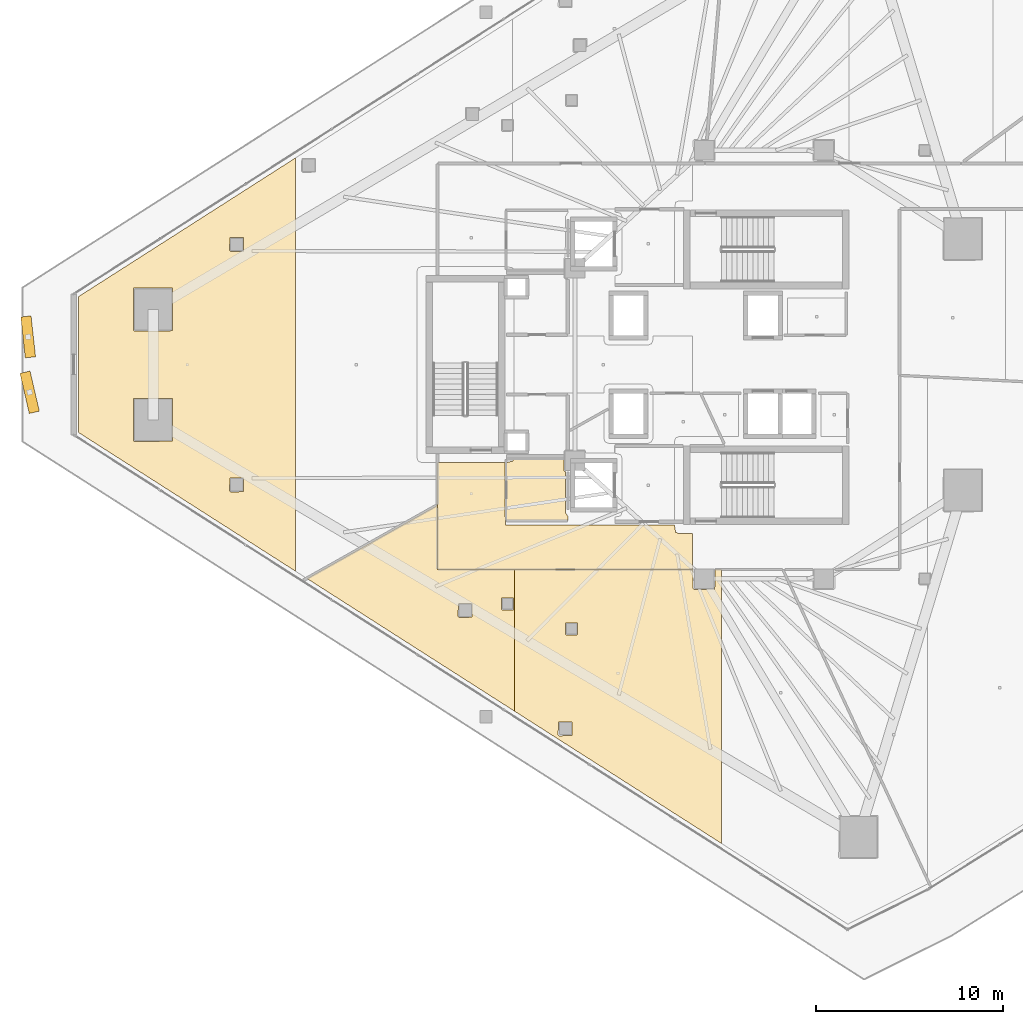
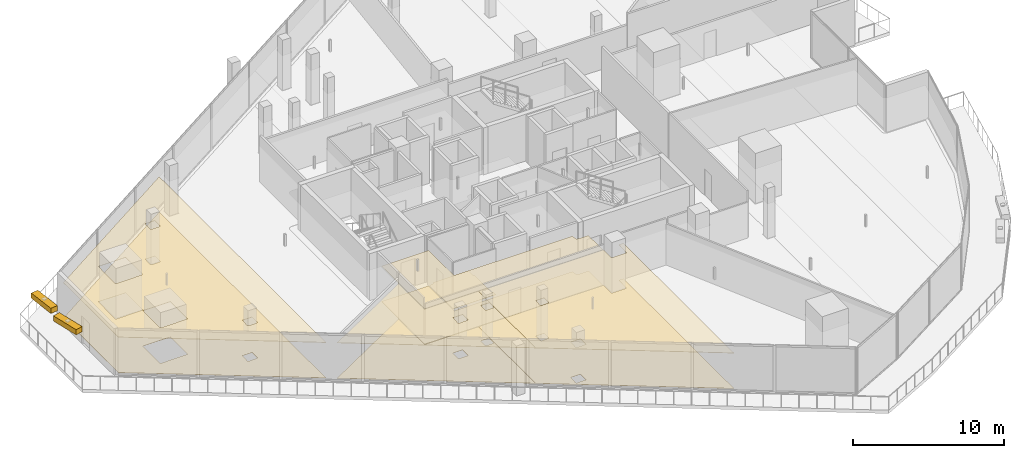
# One storey, part 31 of 38: 9 coverings, 2 shading devices.
"""IFC4 building model written with IfcOpenShell, lengths in metres."""

from ifc_helpers import new_model, si_unit, direction, frame, origin, origin_2d, place, context, subcontext, project, spatial, polyline, rectangle, outline, extrude, material, layer, layer_set, type_object, element, save


model = new_model("IFC4")

# Units and contexts
model_context = context("Model", 3, precision=1e-05, world=origin(), true_north=direction((0.0, 1.0)))
body_context = subcontext(model_context, "Body", "Model", "MODEL_VIEW")
ifc_project = project(units=[si_unit("LENGTHUNIT", "METRE"), si_unit("AREAUNIT", "SQUARE_METRE"), si_unit("VOLUMEUNIT", "CUBIC_METRE"), si_unit("PLANEANGLEUNIT", "RADIAN"), si_unit("MASSUNIT", "GRAM", prefix="KILO")], contexts=[model_context])

# Site, building, storey
site_placement = place(None, origin())
site = spatial("IfcSite", under=ifc_project, at=site_placement, CompositionType="ELEMENT")
building_placement = place(site_placement, origin())
building = spatial("IfcBuilding", under=site, at=building_placement, Name="Qorvath Tower", CompositionType="ELEMENT")
storey_placement = place(building_placement, frame((0.0, 0.0, 134.10009765625)))
storey = spatial("IfcBuildingStorey", under=building, at=storey_placement, Name="L30", CompositionType="ELEMENT", Elevation=134.10009765625)

# Coverings
ifc_material_1 = material(Name="Acoustic mineral fibre ceiling tile", Category="gypsum")
ifc_layer_1 = layer(ifc_material_1, 0.030029296875)
ifc_layer_set_1 = layer_set([ifc_layer_1], Name="COV-CEIL")
covering_type_1 = type_object("IfcCoveringType", Name="COV-CEIL", PredefinedType="CEILING", material=ifc_layer_set_1)
covering_1_placement = place(storey_placement, frame((0.0, 0.0, 2.849853515625)))
element("IfcCovering", 1, at=covering_1_placement, inside=storey, type_object=covering_type_1, Name="L30 Suspended Acoustic Ceiling 008", PredefinedType="CEILING", context=body_context, shape_type="SweptSolid", body=[
    extrude(outline(polyline([(-34.22509765625, -8.580078125), (-34.251220703125, -5.239990234375), (-37.844970703125, -5.239990234375), (-37.844970703125, -10.945068359375), (-24.220458984375, -10.945068359375), (-24.220458984375, -9.0400390625), (-24.93994140625, -9.0400390625), (-25.11669921875, -8.966796875), (-25.18994140625, -8.57421875), (-34.22509765625, -8.580078125)])), origin(), (0.0, 0.0, 1.0), 0.030029296875),
])
covering_2_placement = place(storey_placement, frame((0.0, 0.0, 2.849853515625)))
element("IfcCovering", 2, at=covering_2_placement, inside=storey, type_object=covering_type_1, Name="L30 Suspended Acoustic Ceiling 011", PredefinedType="CEILING", context=body_context, shape_type="SweptSolid", body=[
    extrude(outline(polyline([(-57.031494140625, 3.63623046875), (-57.031494140625, -3.63623046875), (-45.434814453125, -11.048095703125), (-45.434814453125, 11.048095703125), (-57.031494140625, 3.63623046875)]), holes=[polyline([(-48.96337890625, -6.74951171875), (-48.94580078125, -6.05712890625), (-48.2109375, -6.05712890625), (-48.2109375, -6.7919921875), (-48.9033203125, -6.8095703125), (-48.96337890625, -6.74951171875)]), polyline([(-48.96337890625, 6.099609375), (-48.94580078125, 6.7919921875), (-48.2109375, 6.7919921875), (-48.2109375, 6.05712890625), (-48.9033203125, 6.03955078125), (-48.96337890625, 6.099609375)]), polyline([(-54.109375, -4.05078125), (-54.091796875, -1.808349609375), (-52.007080078125, -1.808349609375), (-52.007080078125, -4.09326171875), (-54.04931640625, -4.11083984375), (-54.109375, -4.05078125)]), polyline([(-54.109375, 1.850830078125), (-54.091796875, 4.09326171875), (-52.007080078125, 4.09326171875), (-52.007080078125, 1.808349609375), (-54.04931640625, 1.790771484375), (-54.109375, 1.850830078125)])]), origin(), (0.0, 0.0, 1.0), 0.030029296875),
])
covering_3_placement = place(storey_placement, frame((0.0, 0.0, 2.849853515625)))
element("IfcCovering", 3, at=covering_3_placement, inside=storey, type_object=covering_type_1, Name="L30 Suspended Acoustic Ceiling 014", PredefinedType="CEILING", context=body_context, shape_type="SweptSolid", body=[
    extrude(outline(polyline([(-33.740234375, -18.5224609375), (-33.740234375, -10.962890625), (-37.85791015625, -10.962890625), (-37.863037109375, -7.52685546875), (-44.82275390625, -11.439208984375), (-33.740234375, -18.5224609375)]), holes=[polyline([(-34.439208984375, -13.0673828125), (-34.421630859375, -12.47509765625), (-33.786865234375, -12.47509765625), (-33.786865234375, -13.10986328125), (-34.379150390625, -13.12744140625), (-34.439208984375, -13.0673828125)]), polyline([(-36.749755859375, -13.46044921875), (-36.732177734375, -12.76806640625), (-35.997314453125, -12.76806640625), (-35.997314453125, -13.5029296875), (-36.689697265625, -13.5205078125), (-36.749755859375, -13.46044921875)])]), origin(), (0.0, 0.0, 1.0), 0.030029296875),
])
covering_4_placement = place(storey_placement, frame((0.0, 0.0, 2.849853515625)))
element("IfcCovering", 4, at=covering_4_placement, inside=storey, type_object=covering_type_1, Name="L30 Suspended Acoustic Ceiling 015", PredefinedType="CEILING", context=body_context, shape_type="SweptSolid", body=[
    extrude(outline(polyline([(-22.65771484375, -25.60546875), (-22.65771484375, -10.962890625), (-23.014892578125, -10.962890625), (-23.032470703125, -12.017333984375), (-24.125, -12.034912109375), (-24.18505859375, -11.97509765625), (-24.18505859375, -10.962890625), (-33.740234375, -10.962890625), (-33.740234375, -18.5224609375), (-22.65771484375, -25.60546875)]), holes=[polyline([(-31.01220703125, -14.3994140625), (-30.99462890625, -13.806884765625), (-30.35986328125, -13.806884765625), (-30.35986328125, -14.441650390625), (-30.9521484375, -14.459228515625), (-31.01220703125, -14.3994140625)]), polyline([(-31.401123046875, -19.785400390625), (-31.383544921875, -19.093017578125), (-30.648681640625, -19.093017578125), (-30.648681640625, -19.827880859375), (-31.341064453125, -19.845458984375), (-31.401123046875, -19.785400390625)])]), origin(), (0.0, 0.0, 1.0), 0.030029296875),
])
ifc_material_2 = material(Name="Low-VOC modular carpet tile", Category="textile")
ifc_layer_2 = layer(ifc_material_2, 0.014892578125)
ifc_layer_set_2 = layer_set([ifc_layer_2], Name="COV-FLOOR-CPT")
covering_type_2 = type_object("IfcCoveringType", Name="COV-FLOOR-CPT", PredefinedType="FLOORING", material=ifc_layer_set_2)
covering_5_placement = place(storey_placement, origin())
element("IfcCovering", 5, at=covering_5_placement, inside=storey, type_object=covering_type_2, Name="L30 Floor Finish 011", PredefinedType="FLOORING", context=body_context, shape_type="SweptSolid", body=[
    extrude(outline(polyline([(-57.031494140625, 3.63623046875), (-57.031494140625, -3.63623046875), (-45.434814453125, -11.048095703125), (-45.434814453125, 11.048095703125), (-57.031494140625, 3.63623046875)]), holes=[polyline([(-48.96337890625, -6.74951171875), (-48.94580078125, -6.05712890625), (-48.2109375, -6.05712890625), (-48.2109375, -6.7919921875), (-48.9033203125, -6.8095703125), (-48.96337890625, -6.74951171875)]), polyline([(-48.96337890625, 6.099609375), (-48.94580078125, 6.7919921875), (-48.2109375, 6.7919921875), (-48.2109375, 6.05712890625), (-48.9033203125, 6.03955078125), (-48.96337890625, 6.099609375)]), polyline([(-54.109375, -4.05078125), (-54.091796875, -1.808349609375), (-52.007080078125, -1.808349609375), (-52.007080078125, -4.09326171875), (-54.04931640625, -4.11083984375), (-54.109375, -4.05078125)]), polyline([(-54.109375, 1.850830078125), (-54.091796875, 4.09326171875), (-52.007080078125, 4.09326171875), (-52.007080078125, 1.808349609375), (-54.04931640625, 1.790771484375), (-54.109375, 1.850830078125)])]), origin(), (0.0, 0.0, 1.0), 0.014892578125),
])
covering_6_placement = place(storey_placement, origin())
element("IfcCovering", 6, at=covering_6_placement, inside=storey, type_object=covering_type_2, Name="L30 Floor Finish 014", PredefinedType="FLOORING", context=body_context, shape_type="SweptSolid", body=[
    extrude(outline(polyline([(-33.740234375, -18.5224609375), (-33.740234375, -10.962890625), (-37.85791015625, -10.962890625), (-37.863037109375, -7.52685546875), (-44.82275390625, -11.439208984375), (-33.740234375, -18.5224609375)]), holes=[polyline([(-34.439208984375, -13.0673828125), (-34.421630859375, -12.47509765625), (-33.786865234375, -12.47509765625), (-33.786865234375, -13.10986328125), (-34.379150390625, -13.12744140625), (-34.439208984375, -13.0673828125)]), polyline([(-36.749755859375, -13.46044921875), (-36.732177734375, -12.76806640625), (-35.997314453125, -12.76806640625), (-35.997314453125, -13.5029296875), (-36.689697265625, -13.5205078125), (-36.749755859375, -13.46044921875)])]), origin(), (0.0, 0.0, 1.0), 0.014892578125),
])
covering_7_placement = place(storey_placement, origin())
element("IfcCovering", 7, at=covering_7_placement, inside=storey, type_object=covering_type_2, Name="L30 Floor Finish 015", PredefinedType="FLOORING", context=body_context, shape_type="SweptSolid", body=[
    extrude(outline(polyline([(-22.65771484375, -25.60546875), (-22.65771484375, -10.962890625), (-23.014892578125, -10.962890625), (-23.032470703125, -12.017333984375), (-24.125, -12.034912109375), (-24.18505859375, -11.97509765625), (-24.18505859375, -10.962890625), (-33.740234375, -10.962890625), (-33.740234375, -18.5224609375), (-22.65771484375, -25.60546875)]), holes=[polyline([(-31.01220703125, -14.3994140625), (-30.99462890625, -13.806884765625), (-30.35986328125, -13.806884765625), (-30.35986328125, -14.441650390625), (-30.9521484375, -14.459228515625), (-31.01220703125, -14.3994140625)]), polyline([(-31.401123046875, -19.785400390625), (-31.383544921875, -19.093017578125), (-30.648681640625, -19.093017578125), (-30.648681640625, -19.827880859375), (-31.341064453125, -19.845458984375), (-31.401123046875, -19.785400390625)])]), origin(), (0.0, 0.0, 1.0), 0.014892578125),
])
ifc_material_3 = material(Name="Polished epoxy terrazzo flooring", Category="concrete")
ifc_layer_3 = layer(ifc_material_3, 0.02001953125)
ifc_layer_set_3 = layer_set([ifc_layer_3], Name="COV-FLOOR-TRZ")
covering_type_3 = type_object("IfcCoveringType", Name="COV-FLOOR-TRZ", PredefinedType="FLOORING", material=ifc_layer_set_3)
covering_8_placement = place(storey_placement, origin())
element("IfcCovering", 8, at=covering_8_placement, inside=storey, type_object=covering_type_3, Name="L30 Floor Finish 006", PredefinedType="FLOORING", context=body_context, shape_type="SweptSolid", body=[
    extrude(outline(polyline([(-31.0849609375, -5.054931640625), (-33.786865234375, -5.054931640625), (-33.833251953125, -5.166748046875), (-34.175048828125, -5.239990234375), (-34.175048828125, -8.344970703125), (-30.885009765625, -8.344970703125), (-30.885009765625, -8.108154296875), (-31.010009765625, -7.909912109375), (-31.010009765625, -5.735107421875), (-31.0849609375, -5.675048828125), (-31.0849609375, -5.054931640625)])), origin(), (0.0, 0.0, 1.0), 0.014892578125),
])
covering_9_placement = place(storey_placement, origin())
element("IfcCovering", 9, at=covering_9_placement, inside=storey, type_object=covering_type_3, Name="L30 Floor Finish 008", PredefinedType="FLOORING", context=body_context, shape_type="SweptSolid", body=[
    extrude(outline(polyline([(-34.22509765625, -8.580078125), (-34.251220703125, -5.239990234375), (-37.844970703125, -5.239990234375), (-37.844970703125, -10.945068359375), (-24.220458984375, -10.945068359375), (-24.220458984375, -9.0400390625), (-24.93994140625, -9.0400390625), (-25.11669921875, -8.966796875), (-25.18994140625, -8.57421875), (-34.22509765625, -8.580078125)])), origin(), (0.0, 0.0, 1.0), 0.014892578125),
])

# Shading devices
ifc_material_4 = material(Name="Anodised bronze-champagne aluminium", Category="aluminium")
shading_device_type = type_object("IfcShadingDeviceType", Name="SD-LOUVRE", PredefinedType="JALOUSIE", material=ifc_material_4)
for number, where, z_axis, x_axis, name in (
    (10, (-59.72998046875, 1.4794921875, 3.35986328125), (0.0, 0.0, 1.0), (0.108511201992, -0.994095226345, 0.0), "Sinusoidal Wave Louvre Blade L30-01"),
    (11, (-59.650634765625, -1.4794921875, 3.35986328125), (0.0, 0.0, 1.0), (0.225578527786, -0.974224988287, 0.0), "Sinusoidal Wave Louvre Blade L30-02"),
):
    element("IfcShadingDevice", number, at=place(storey_placement, frame(where, z_axis=z_axis, x_axis=x_axis)), inside=storey, type_object=shading_device_type, Name=name, PredefinedType="NOTDEFINED", context=body_context, shape_type="SweptSolid", body=[
        extrude(rectangle(XDim=2.199951171875, YDim=0.550048828125, at=origin_2d()), origin(), (0.0, 0.0, 1.0), 0.419921875),
    ])

save(model, "model.ifc")
